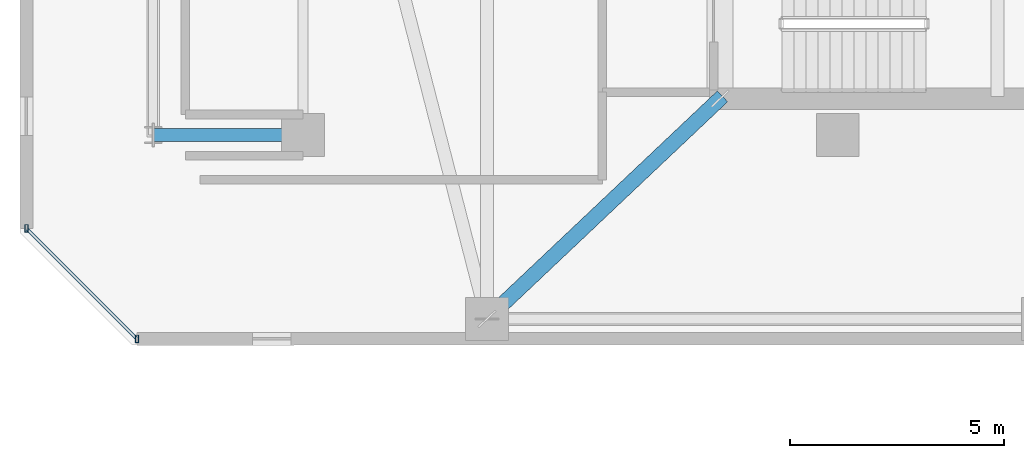
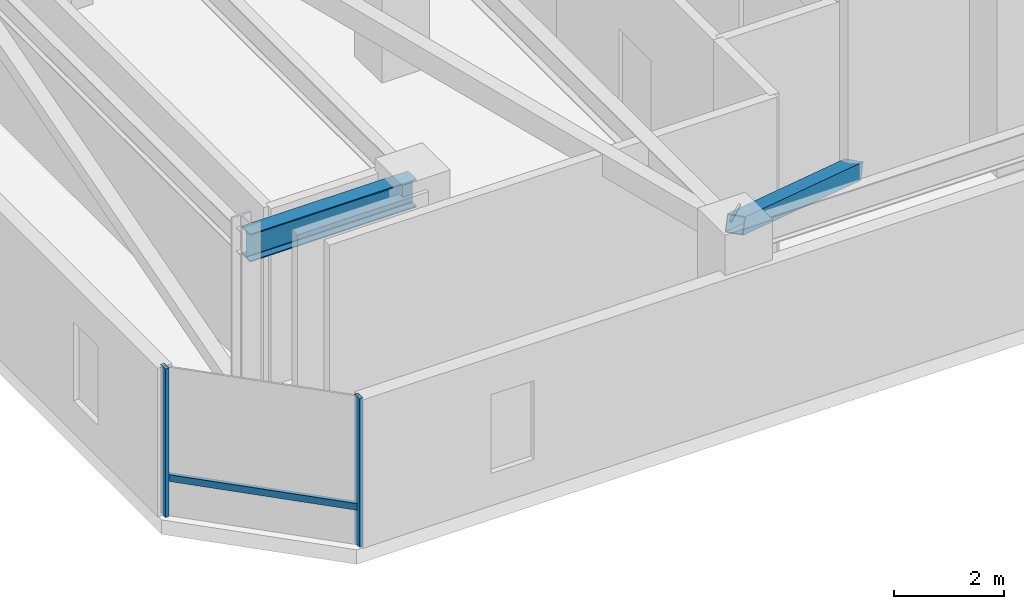
# One storey, part 3 of 42: 4 members, 1 beam, 1 element without a shape of its own.
"""IFC4 building model written with IfcOpenShell, lengths in metres."""

from ifc_helpers import new_model, si_unit, direction, frame, origin, origin_2d, place, context, subcontext, project, spatial, hollow_rectangle, i_section, extrude, material, material_profile, profile_set, type_object, element, aggregate, save


model = new_model("IFC4")

# Units and contexts
model_context = context("Model", 3, precision=1e-05, world=origin(), true_north=direction((0.0, 1.0)))
body_context = subcontext(model_context, "Body", "Model", "MODEL_VIEW")
ifc_project = project(units=[si_unit("LENGTHUNIT", "METRE"), si_unit("AREAUNIT", "SQUARE_METRE"), si_unit("VOLUMEUNIT", "CUBIC_METRE"), si_unit("PLANEANGLEUNIT", "RADIAN"), si_unit("MASSUNIT", "GRAM", prefix="KILO")], contexts=[model_context])

# Site, building, storey
site_placement = place(None, origin())
site = spatial("IfcSite", under=ifc_project, at=site_placement, CompositionType="ELEMENT")
building_placement = place(site_placement, origin())
building = spatial("IfcBuilding", under=site, at=building_placement, Name="Thornwick Lancets Civic Towers", CompositionType="ELEMENT")
storey_placement = place(building_placement, frame((0.0, 0.0, 221.699951171875)))
storey = spatial("IfcBuildingStorey", under=building, at=storey_placement, Name="L59", CompositionType="ELEMENT", Elevation=221.699951171875)

# Beam
ifc_material_1 = material(Name="Steel S355JR", Category="steel")
ifc_material_profile_1 = material_profile(ifc_material_1, i_section(OverallWidth=0.30712890625, OverallDepth=0.6201171875, WebThickness=0.01416015625, FlangeThickness=0.023681640625, FilletRadius=0.0166015625, at=origin_2d()), Name="UKB 610x305x179")
ifc_profile_set_1 = profile_set([ifc_material_profile_1], Name="Steel S355JR")
beam_type = type_object("IfcBeamType", Name="BM_GIRD_610_179", PredefinedType="BEAM", material=ifc_profile_set_1)
beam_placement = place(storey_placement, frame((8.199951171875, 14.0, 3.64990234375), z_axis=(-1.0, 0.0, 0.0), x_axis=(0.0, -1.0, 0.0)))
element("IfcBeam", 1, at=beam_placement, inside=storey, type_object=beam_type, Name="BM-RAD-L59-A10", PredefinedType="BEAM", context=body_context, shape_type="SweptSolid", body=[
    extrude(i_section(OverallWidth=0.30712890625, OverallDepth=0.6201171875, WebThickness=0.01416015625, FlangeThickness=0.023681640625, FilletRadius=0.0166015625, at=origin_2d()), origin(), (0.0, 0.0, 1.0), 3.5),
])

# Curtain wall, members
ifc_material_2 = material(Name="High-zone chamfered-corner unitised glass curtain wall", Category="glass")
curtain_wall_type = type_object("IfcCurtainWallType", Name="CW_SYS_05", PredefinedType="NOTDEFINED", material=ifc_material_2)
curtain_wall_placement = place(storey_placement, origin())
curtain_wall = element("IfcCurtainWall", 2, at=curtain_wall_placement, inside=storey, type_object=curtain_wall_type, Name="L59 Curtain Wall CW-L59-A-E7", PredefinedType="NOTDEFINED")
ifc_material_3 = material(Name="Thermally broken bronze aluminium S355", Category="steel")
ifc_material_profile_2 = material_profile(ifc_material_3, hollow_rectangle(XDim=0.074951171875, YDim=0.179931640625, WallThickness=0.006103515625, at=origin_2d()), Name="RHS 180x75x6")
ifc_profile_set_2 = profile_set([ifc_material_profile_2], Name="Thermally broken bronze aluminium S355")
member_type_1 = type_object("IfcMemberType", Name="CW_MUL_180", PredefinedType="MULLION", material=ifc_profile_set_2)
member_1_placement = place(storey_placement, frame((1.7353515625, 11.818603515625, 0.0), z_axis=(0.0, 0.0, 1.0), x_axis=(1.0, 0.0, 0.0)))
member_1 = element("IfcMember", 3, at=member_1_placement, type_object=member_type_1, Name="CW-L59-A-E7 Mullion 0", PredefinedType="MULLION", context=body_context, shape_type="SweptSolid", body=[
    extrude(hollow_rectangle(XDim=0.074951171875, YDim=0.179931640625, WallThickness=0.006103515625, at=origin_2d()), origin(), (0.0, 0.0, 1.0), 3.300048828125),
])
member_2_placement = place(storey_placement, frame((4.318603515625, 9.2353515625, 0.0), z_axis=(0.0, 0.0, 1.0), x_axis=(1.0, 0.0, 0.0)))
member_2 = element("IfcMember", 4, at=member_2_placement, type_object=member_type_1, Name="CW-L59-A-E7 Mullion 1", PredefinedType="MULLION", context=body_context, shape_type="SweptSolid", body=[
    extrude(hollow_rectangle(XDim=0.074951171875, YDim=0.179931640625, WallThickness=0.006103515625, at=origin_2d()), origin(), (0.0, 0.0, 1.0), 3.300048828125),
])
ifc_material_profile_3 = material_profile(ifc_material_3, hollow_rectangle(XDim=0.074951171875, YDim=0.14990234375, WallThickness=0.0048828125, at=origin_2d()), Name="RHS 150x75x5")
ifc_profile_set_3 = profile_set([ifc_material_profile_3], Name="Thermally broken bronze aluminium S355")
member_type_2 = type_object("IfcMemberType", Name="CW_TRN_150", PredefinedType="USERDEFINED", material=ifc_profile_set_3)
member_3_placement = place(storey_placement, frame((1.74951171875, 11.804443359375, 0.85009765625), z_axis=(0.707106781187, -0.707106781187, 0.0), x_axis=(0.707106781187, 0.707106781187, 0.0)))
member_3 = element("IfcMember", 5, at=member_3_placement, type_object=member_type_2, Name="CW-L59-A-E7 Transom 0", ObjectType="TRANSOM", PredefinedType="USERDEFINED", context=body_context, shape_type="SweptSolid", body=[
    extrude(hollow_rectangle(XDim=0.074951171875, YDim=0.14990234375, WallThickness=0.0048828125, at=origin_2d()), origin(), (0.0, 0.0, 1.0), 3.61328125),
])
aggregate(curtain_wall, [member_1, member_2, member_3])

# Member
ifc_material_4 = material(Name="Steel S460M", Category="steel")
ifc_material_profile_4 = material_profile(ifc_material_4, hollow_rectangle(XDim=0.35009765625, YDim=0.35009765625, WallThickness=0.01611328125, at=origin_2d()), Name="SHS 350x350x16")
ifc_profile_set_4 = profile_set([ifc_material_profile_4], Name="Steel S460M")
member_type_3 = type_object("IfcMemberType", Name="MEM_OUTRIG_SHS350", PredefinedType="BRACE", material=ifc_profile_set_4)
member_4_placement = place(storey_placement, frame((17.949951171875, 14.85009765625, 0.150146484375), z_axis=(-0.647974699772, -0.612329269887, 0.452969815434), x_axis=(0.686832880872, -0.726815378038, 0.0)))
element("IfcMember", 6, at=member_4_placement, inside=storey, type_object=member_type_3, Name="L59 Outrigger Brace A-2", PredefinedType="BRACE", context=body_context, shape_type="SweptSolid", body=[
    extrude(hollow_rectangle(XDim=0.35009765625, YDim=0.35009765625, WallThickness=0.01611328125, at=origin_2d()), origin(), (0.0, 0.0, 1.0), 8.41064453125),
])

save(model, "model.ifc")
